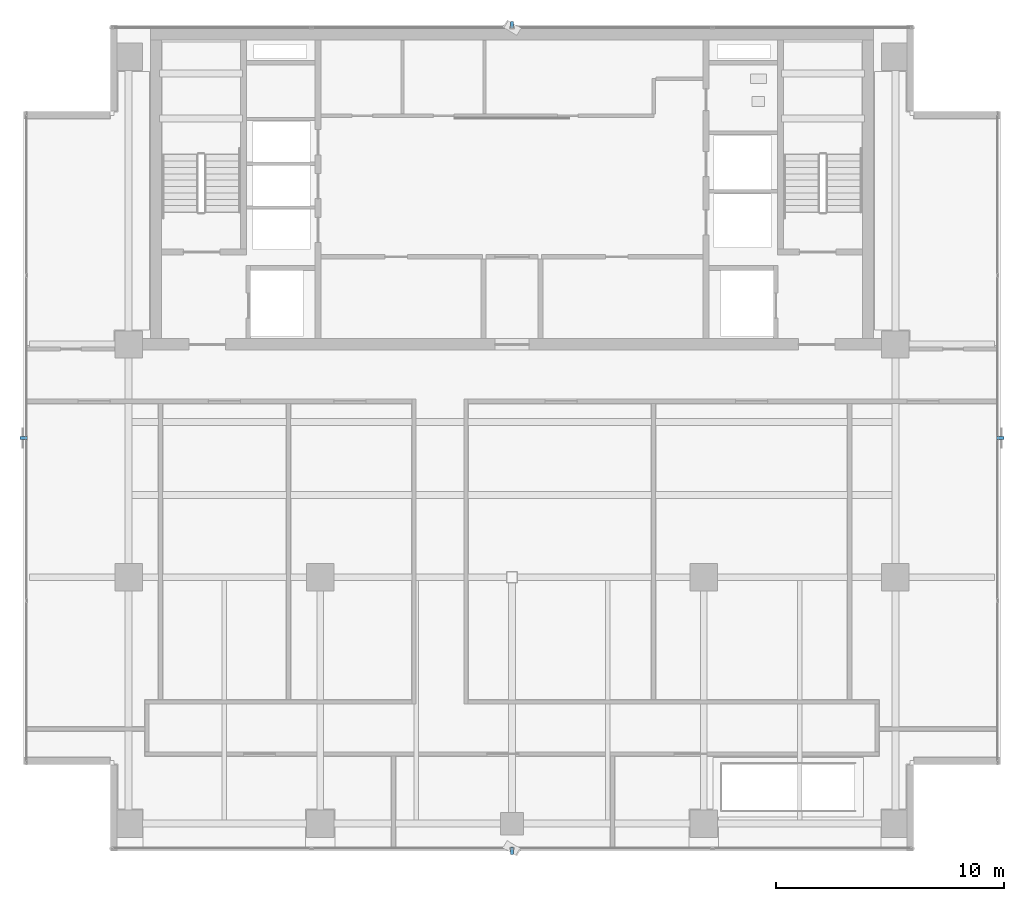
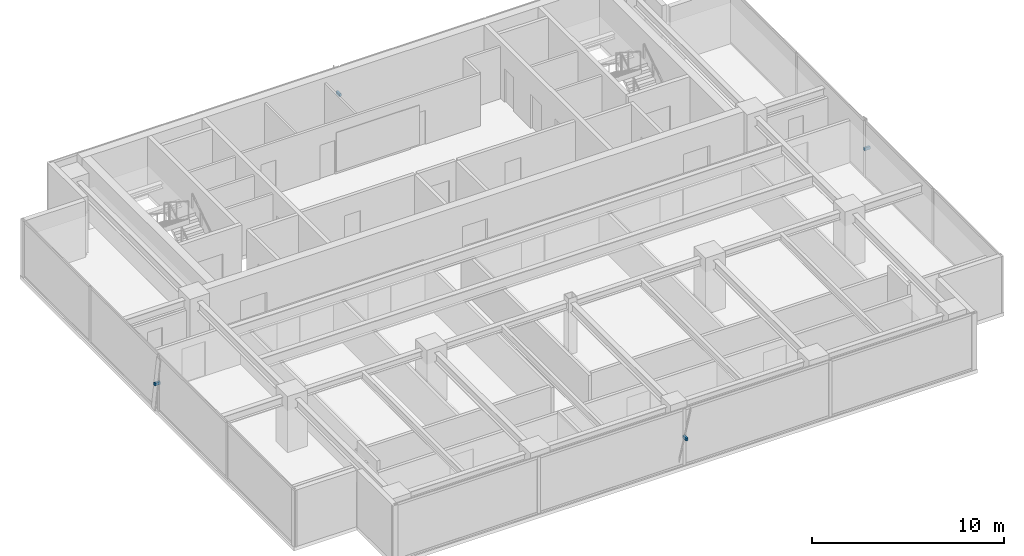
# One storey, part 17 of 21: 4 discrete accessories.
"""IFC4 building model written with IfcOpenShell, lengths in metres."""

import ifcopenshell
import ifcopenshell.guid

model = None  # the IFC model being written
_history = None  # IfcOwnerHistory: only IFC2X3 demands one
_inside = {}  # id of a spatial element -> (the spatial element, [elements in it])
_under = {}  # id of a project, library or spatial element -> (it, [spatial elements below it])
_declared = {}  # id of a project -> (the project, [libraries it declares])
_typed = {}  # id of a type object -> (the type object, [elements of that type])
_made_of = {}  # id of a material, layer set ... -> (it, [elements and type objects made of it])


def new_model(schema):
    """Start an empty IFC model of exactly this schema.

    Asked for "IFC4X3", IfcOpenShell would pick the latest addendum, in which some entities
    have other attributes; the version numbers below select the first issue.
    IFC2X3 requires an IfcOwnerHistory on every rooted entity: one is made here for all.
    """
    global model, _history
    if schema == "IFC4X3":
        model = ifcopenshell.file(schema_version=(4, 3, 0, 0))
    else:
        model = ifcopenshell.file(schema=schema)
    _inside.clear()
    _under.clear()
    _declared.clear()
    _typed.clear()
    _made_of.clear()
    _history = None
    if model.schema == "IFC2X3":
        org = make("IfcOrganization", Name="unknown")
        user = make(
            "IfcPersonAndOrganization",
            ThePerson=make("IfcPerson", FamilyName="unknown"),
            TheOrganization=org,
        )
        app = make(
            "IfcApplication",
            ApplicationDeveloper=org,
            Version="unknown",
            ApplicationFullName="unknown",
            ApplicationIdentifier="unknown",
        )
        _history = make(
            "IfcOwnerHistory",
            OwningUser=user,
            OwningApplication=app,
            ChangeAction="ADDED",
            CreationDate=0,
        )
    return model


def make(cls, **values):
    """One entity of the class cls with the attributes given. An attribute that is None is left unset."""
    return model.create_entity(
        cls, **{name: value for name, value in values.items() if value is not None}
    )


def rooted(cls, **values):
    """An entity with a GlobalId (a new one), such as an element, a storey or a relation."""
    return make(cls, GlobalId=ifcopenshell.guid.new(), OwnerHistory=_history, **values)


def si_unit(unit_type, name, prefix=None):
    """IfcSIUnit, for example si_unit("LENGTHUNIT", "METRE", prefix="MILLI")."""
    return make("IfcSIUnit", UnitType=unit_type, Prefix=prefix, Name=name)


def assignment(units):
    """IfcUnitAssignment: the units of a project."""
    return None if units is None else make("IfcUnitAssignment", Units=units)


def point(xyz):
    """IfcCartesianPoint."""
    return None if xyz is None else make("IfcCartesianPoint", Coordinates=xyz)


def direction(xyz):
    """IfcDirection."""
    return None if xyz is None else make("IfcDirection", DirectionRatios=xyz)


def frame(location, z_axis=None, x_axis=None):
    """IfcAxis2Placement3D, a coordinate frame: its origin and axes. An axis left out is left unset."""
    return make(
        "IfcAxis2Placement3D",
        Location=point(location),
        Axis=direction(z_axis),
        RefDirection=direction(x_axis),
    )


def frame_2d(location, x_axis=None):
    """IfcAxis2Placement2D, a coordinate frame in the plane: its origin and x axis."""
    return make(
        "IfcAxis2Placement2D", Location=point(location), RefDirection=direction(x_axis)
    )


def origin():
    """The frame at (0, 0, 0) with its axes left unset."""
    return frame((0.0, 0.0, 0.0))


def origin_2d():
    """The frame at (0, 0) in the plane with its x axis left unset."""
    return frame_2d((0.0, 0.0))


def place(relative_to, where):
    """IfcLocalPlacement: puts the frame where relative to a parent placement (None: the world)."""
    return make(
        "IfcLocalPlacement", PlacementRelTo=relative_to, RelativePlacement=where
    )


def context(
    kind, dimensions, precision=None, world=None, true_north=None, identifier=None
):
    """IfcGeometricRepresentationContext, for example the 3D "Model" context."""
    return make(
        "IfcGeometricRepresentationContext",
        ContextIdentifier=identifier,
        ContextType=kind,
        CoordinateSpaceDimension=dimensions,
        Precision=precision,
        WorldCoordinateSystem=world,
        TrueNorth=true_north,
    )


def subcontext(parent, identifier, kind, view, scale=None):
    """IfcGeometricRepresentationSubContext, for example "Body" below "Model"."""
    return make(
        "IfcGeometricRepresentationSubContext",
        ContextIdentifier=identifier,
        ContextType=kind,
        ParentContext=parent,
        TargetScale=scale,
        TargetView=view,
    )


def project(units=None, contexts=None):
    """IfcProject with its units and contexts."""
    return rooted(
        "IfcProject",
        Name="project",
        RepresentationContexts=contexts,
        UnitsInContext=assignment(units),
    )


def spatial(cls, under=None, at=None, **own):
    """A site, building, storey or space (cls), placed at a placement, below another one or the project."""
    s = rooted(cls, ObjectPlacement=at, **own)
    if under is not None:
        _under.setdefault(under.id(), (under, []))[1].append(s)
    return s


def profile(cls, at=None, kind="AREA", **sizes):
    """A parametric profile (cls). Its sizes go by their IFC names, for example OverallWidth=200.0."""
    return make(cls, ProfileType=kind, Position=at, **sizes)


def rectangle(**sizes):
    """IfcRectangleProfileDef."""
    return profile("IfcRectangleProfileDef", **sizes)


def extrude(swept, where, along, depth):
    """IfcExtrudedAreaSolid: the profile swept, set in the frame where, extruded along a direction by depth."""
    return make(
        "IfcExtrudedAreaSolid",
        SweptArea=swept,
        Position=where,
        ExtrudedDirection=direction(along),
        Depth=depth,
    )


def shape(context_of_items, identifier, shape_type, items):
    """IfcShapeRepresentation: the items that make up one representation, for example the "Body"."""
    return make(
        "IfcShapeRepresentation",
        ContextOfItems=context_of_items,
        RepresentationIdentifier=identifier,
        RepresentationType=shape_type,
        Items=items,
    )


def source(mapping_origin, context_of_items, identifier, shape_type, items):
    """IfcRepresentationMap: a shape defined once, which mapped items show again and again."""
    return make(
        "IfcRepresentationMap",
        MappingOrigin=mapping_origin,
        MappedRepresentation=shape(context_of_items, identifier, shape_type, items),
    )


def transform(
    local_origin,
    x_axis=None,
    y_axis=None,
    z_axis=None,
    scale=None,
    scale2=None,
    scale3=None,
    uniform=True,
):
    """IfcCartesianTransformationOperator3D, or its non-uniform kind. x_axis, y_axis, z_axis: its Axis1, 2, 3."""
    if uniform:
        return make(
            "IfcCartesianTransformationOperator3D",
            Axis1=direction(x_axis),
            Axis2=direction(y_axis),
            LocalOrigin=point(local_origin),
            Scale=scale,
            Axis3=direction(z_axis),
        )
    return make(
        "IfcCartesianTransformationOperator3DnonUniform",
        Axis1=direction(x_axis),
        Axis2=direction(y_axis),
        LocalOrigin=point(local_origin),
        Scale=scale,
        Axis3=direction(z_axis),
        Scale2=scale2,
        Scale3=scale3,
    )


def mapped(mapping_source, mapping_target):
    """IfcMappedItem: shows the shape of a source again, moved by a transform."""
    return make(
        "IfcMappedItem", MappingSource=mapping_source, MappingTarget=mapping_target
    )


def material(Name=None, Category=None):
    """IfcMaterial."""
    return make("IfcMaterial", Name=Name, Category=Category)


def material_profile(
    of_material, cross_section, Name=None, Category=None, Priority=None
):
    """IfcMaterialProfile: a cross section and its material."""
    return make(
        "IfcMaterialProfile",
        Name=Name,
        Material=of_material,
        Profile=cross_section,
        Priority=Priority,
        Category=Category,
    )


def profile_set(profiles, Name=None, composite=None):
    """IfcMaterialProfileSet."""
    return make(
        "IfcMaterialProfileSet",
        Name=Name,
        MaterialProfiles=profiles,
        CompositeProfile=composite,
    )


def made_of(thing, what):
    """Note that an element or type object is made of a material, layer set ...; save() writes the relation."""
    if what is not None:
        _made_of.setdefault(what.id(), (what, []))[1].append(thing)
    return thing


def type_object(cls, material=None, **own):
    """A type object (cls), such as IfcWallType, which elements share."""
    return made_of(rooted(cls, **own), material)


def element(
    cls,
    number,
    at=None,
    inside=None,
    cuts=None,
    type_object=None,
    material=None,
    context=None,
    identifier="Body",
    shape_type=None,
    held_by="IfcProductDefinitionShape",
    body=None,
    shapes=None,
    **own,
):
    """One element of the class cls, such as IfcWall. Its Tag is "e" and its number.

    at: its placement. inside: the storey or other place that contains it. cuts: it is an
    opening in that element (IfcRelVoidsElement). A single representation is given by context,
    identifier, shape_type and body (its items); several are given by shapes. held_by: the class
    of the entity that holds the representations. save() writes the other relations.
    """
    e = rooted(cls, Tag="e%d" % number, ObjectPlacement=at, **own)
    if body is not None:
        shapes = [shape(context, identifier, shape_type, body)]
    if shapes is not None:
        e.Representation = make(held_by, Representations=shapes)
    if inside is not None:
        _inside.setdefault(inside.id(), (inside, []))[1].append(e)
    if cuts is not None:
        rooted(
            "IfcRelVoidsElement", RelatingBuildingElement=cuts, RelatedOpeningElement=e
        )
    if type_object is not None:
        _typed.setdefault(type_object.id(), (type_object, []))[1].append(e)
    return made_of(e, material)


def aggregate(whole, parts):
    """IfcRelAggregates: a whole, such as a stair, and the parts it consists of."""
    return rooted("IfcRelAggregates", RelatingObject=whole, RelatedObjects=parts)


def save(model, path):
    """Write the relations noted so far, then the file.

    IfcRelAggregates (storeys below a building ...), IfcRelContainedInSpatialStructure (elements
    in a storey), IfcRelDefinesByType, IfcRelAssociatesMaterial and IfcRelDeclares: one each for
    every whole, place, type object, material and project.
    """
    for whole, parts in _under.values():
        aggregate(whole, parts)
    for where, things in _inside.values():
        rooted(
            "IfcRelContainedInSpatialStructure",
            RelatedElements=things,
            RelatingStructure=where,
        )
    for kind, things in _typed.values():
        rooted("IfcRelDefinesByType", RelatedObjects=things, RelatingType=kind)
    for what, things in _made_of.values():
        rooted("IfcRelAssociatesMaterial", RelatedObjects=things, RelatingMaterial=what)
    for by, libraries in _declared.values():
        rooted("IfcRelDeclares", RelatingContext=by, RelatedDefinitions=libraries)
    model.write(path)


model = new_model("IFC4")

# Units and contexts
model_context = context("Model", 3, precision=1e-05, world=origin(), true_north=direction((0.0, 1.0)))
body_context = subcontext(model_context, "Body", "Model", "MODEL_VIEW")
ifc_project = project(units=[si_unit("LENGTHUNIT", "METRE"), si_unit("AREAUNIT", "SQUARE_METRE"), si_unit("VOLUMEUNIT", "CUBIC_METRE"), si_unit("PLANEANGLEUNIT", "RADIAN"), si_unit("MASSUNIT", "GRAM", prefix="KILO")], contexts=[model_context])

# Site, building, storey
site_placement = place(None, origin())
site = spatial("IfcSite", under=ifc_project, at=site_placement, CompositionType="ELEMENT")
building_placement = place(site_placement, origin())
building = spatial("IfcBuilding", under=site, at=building_placement, Name="Sumidabori Civic Tower", CompositionType="ELEMENT")
storey_placement = place(building_placement, frame((0.0, 0.0, 290.0)))
storey = spatial("IfcBuildingStorey", under=building, at=storey_placement, Name="L76", CompositionType="ELEMENT", Elevation=290.0)

# Discrete accessories
ifc_material = material(Name="Stainless Steel Hairline Finish", Category="steel")
ifc_material_profile = material_profile(ifc_material, rectangle(XDim=0.1201171875, YDim=0.179931640625, at=origin_2d()), Name="STEEL BRACKET 180x120")
ifc_profile_set = profile_set([ifc_material_profile], Name="Stainless Steel Hairline Finish")
discrete_accessory_type = type_object("IfcDiscreteAccessoryType", Name="AC-BRK-180", PredefinedType="BRACKET", material=ifc_profile_set)
shared_shape_1 = source(origin(), body_context, "Body", "SweptSolid", [
    extrude(rectangle(XDim=0.1201171875, YDim=0.179931640625, at=origin_2d()), origin(), (0.0, 0.0, 1.0), 0.329833984375),
])
discrete_accessory_placement = place(storey_placement, frame((0.0, -11.830078125, 1.7900390625), z_axis=(0.0, -1.0, 0.0), x_axis=(1.0, 0.0, 0.0)))
element("IfcDiscreteAccessory", 1, at=discrete_accessory_placement, inside=storey, type_object=discrete_accessory_type, Name="Bronze Fin Fixing Bracket L76-02", PredefinedType="BRACKET", context=body_context, shape_type="MappedRepresentation", body=[
    mapped(shared_shape_1, transform((0.0, 0.0, 0.0), x_axis=(1.0, 0.0, 0.0), y_axis=(0.0, 1.0, 0.0), z_axis=(0.0, 0.0, 1.0), scale=1.0)),
])
shared_shape_2 = source(origin(), body_context, "Body", "SweptSolid", [
    extrude(rectangle(XDim=0.1201171875, YDim=0.179931640625, at=origin_2d()), origin(), (0.0, 0.0, 1.0), 0.330078125),
])
for number, where, z_axis, x_axis, name in (
    (2, (21.22998046875, 6.10009765625, 1.7900390625), (1.0, 0.0, 0.0), (0.0, 1.0, 0.0), "Bronze Fin Fixing Bracket L76-02"),
    (3, (0.0, 24.030029296875, 1.7900390625), (0.0, 1.0, 0.0), (-1.0, 0.0, 0.0), "Bronze Fin Fixing Bracket L76-02"),
    (4, (-21.22998046875, 6.10009765625, 1.7900390625), (-1.0, 0.0, 0.0), (0.0, -1.0, 0.0), "Bronze Fin Fixing Bracket L76-02"),
):
    element("IfcDiscreteAccessory", number, at=place(storey_placement, frame(where, z_axis=z_axis, x_axis=x_axis)), inside=storey, type_object=discrete_accessory_type, Name=name, PredefinedType="BRACKET", context=body_context, shape_type="MappedRepresentation", body=[
        mapped(shared_shape_2, transform((0.0, 0.0, 0.0), x_axis=(1.0, 0.0, 0.0), y_axis=(0.0, 1.0, 0.0), z_axis=(0.0, 0.0, 1.0), scale=1.0)),
    ])

save(model, "model.ifc")
